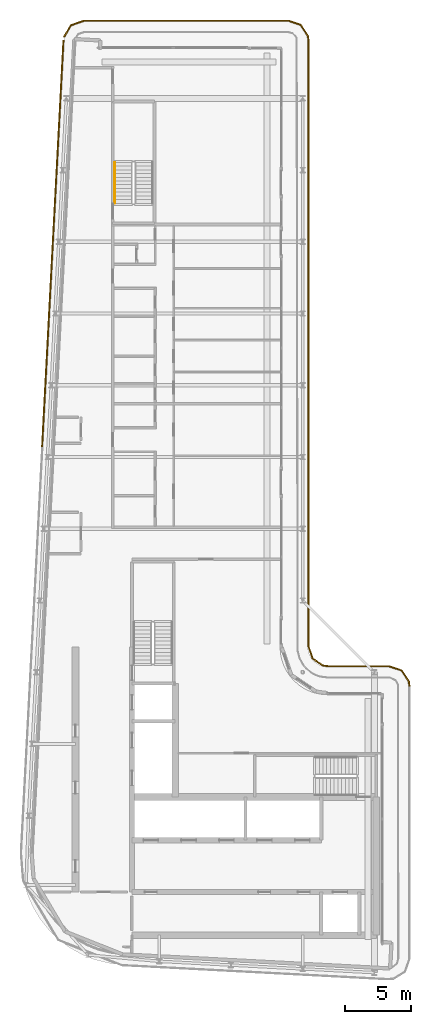
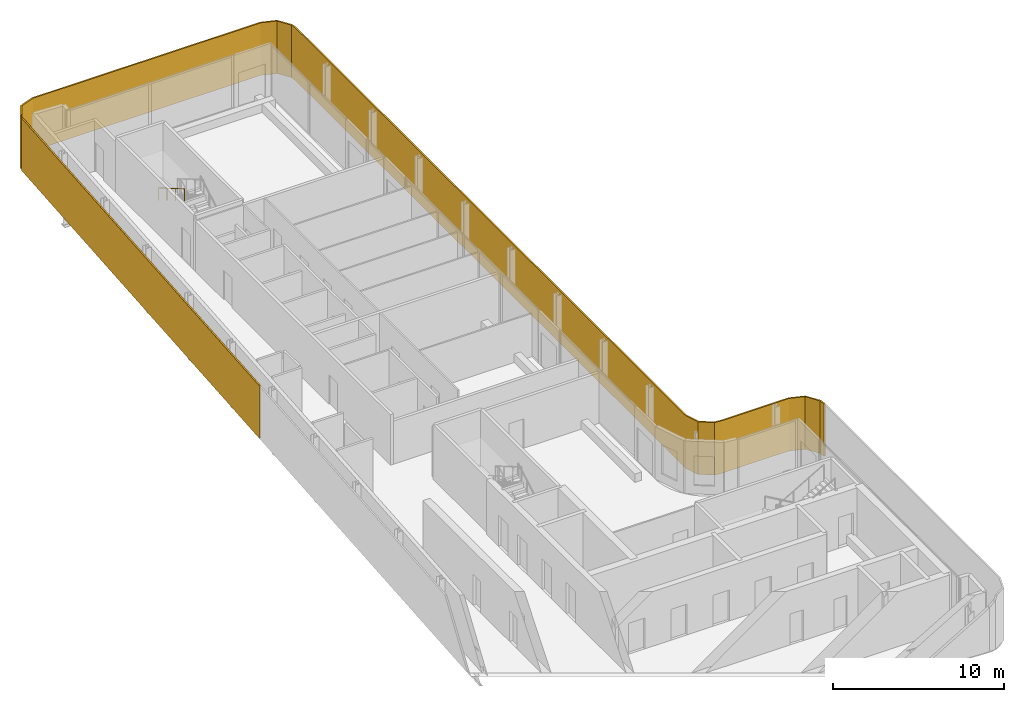
# One storey, part 17 of 19: 2 shading devices, 1 railing.
"""IFC4 building model written with IfcOpenShell, lengths in metres."""

from ifc_helpers import new_model, si_unit, direction, frame, origin, origin_2d, place, context, subcontext, project, spatial, polyline, rectangle, circle, outline, extrude, material, layer, layer_set, type_object, element, save


model = new_model("IFC4")

# Units and contexts
model_context = context("Model", 3, precision=1e-05, world=origin(), true_north=direction((0.0, 1.0)))
body_context = subcontext(model_context, "Body", "Model", "MODEL_VIEW")
ifc_project = project(units=[si_unit("LENGTHUNIT", "METRE"), si_unit("AREAUNIT", "SQUARE_METRE"), si_unit("VOLUMEUNIT", "CUBIC_METRE"), si_unit("PLANEANGLEUNIT", "RADIAN"), si_unit("MASSUNIT", "GRAM", prefix="KILO")], contexts=[model_context])

# Site, building, storey
site_placement = place(None, origin())
site = spatial("IfcSite", under=ifc_project, at=site_placement, CompositionType="ELEMENT")
building_placement = place(site_placement, origin())
building = spatial("IfcBuilding", under=site, at=building_placement, Name="Kheshtan School and Residences Tower", CompositionType="ELEMENT")
storey_placement = place(building_placement, frame((0.0, 0.0, 353.89990234375)))
storey = spatial("IfcBuildingStorey", under=building, at=storey_placement, Name="L83", CompositionType="ELEMENT", Elevation=353.89990234375)

# Shading devices
ifc_material_1 = material(Name="Terracotta baguette, extruded ceramic", Category="masonry")
ifc_layer_1 = layer(ifc_material_1, 0.10009765625)
ifc_layer_set_1 = layer_set([ifc_layer_1], Name="Ledge screen, terracotta baguettes")
shading_device_type_1 = type_object("IfcShadingDeviceType", Name="Ledge screen, terracotta baguettes", PredefinedType="USERDEFINED", material=ifc_layer_set_1)
shading_device_1_placement = place(storey_placement, frame((28.785888671875, 77.884033203125, 0.0), z_axis=(0.0, 0.0, 1.0), x_axis=(0.052562536748, 0.998617634398, 0.0)))
element("IfcShadingDevice", 1, at=shading_device_1_placement, inside=storey, type_object=shading_device_type_1, Name="Screen L83 5", ObjectType="BAGUETTE", PredefinedType="USERDEFINED", context=body_context, shape_type="SweptSolid", body=[
    extrude(rectangle(XDim=30.636962890625, YDim=0.10009765625, at=origin_2d()), origin(), (0.0, 0.0, 1.0), 3.75),
])
ifc_material_2 = material(Name="Terracotta lattice, extruded ceramic", Category="masonry")
ifc_layer_2 = layer(ifc_material_2, 0.10009765625)
ifc_layer_set_2 = layer_set([ifc_layer_2], Name="Loggia screen, terracotta lattice")
shading_device_type_2 = type_object("IfcShadingDeviceType", Name="Loggia screen, terracotta lattice", PredefinedType="USERDEFINED", material=ifc_layer_set_2)
shading_device_2_placement = place(storey_placement, origin())
element("IfcShadingDevice", 2, at=shading_device_2_placement, inside=storey, type_object=shading_device_type_2, Name="Screen L83 1", ObjectType="SCREEN", PredefinedType="USERDEFINED", context=body_context, shape_type="SweptSolid", body=[
    extrude(outline(polyline([(29.666015625, 93.384033203125), (30.18408203125, 94.257080078125), (31.138916015625, 94.60009765625), (46.5, 94.60009765625), (47.4130859375, 94.2900390625), (47.948974609375, 93.488037109375), (48.0, 93.10009765625), (48.0, 47.5), (48.31005859375, 46.5869140625), (49.112060546875, 46.051025390625), (49.5, 46.0), (54.10009765625, 46.0), (55.012939453125, 45.68994140625), (55.549072265625, 44.887939453125), (55.60009765625, 44.5), (55.698974609375, 44.512939453125), (55.64501953125, 44.924072265625), (55.076904296875, 45.77392578125), (54.116943359375, 46.10009765625), (49.507080078125, 46.10009765625), (49.14794921875, 46.14697265625), (48.39404296875, 46.65087890625), (48.10009765625, 47.51708984375), (48.10009765625, 93.10693359375), (48.044921875, 93.52392578125), (47.47705078125, 94.3740234375), (46.51708984375, 94.699951171875), (31.1220703125, 94.699951171875), (30.115966796875, 94.339111328125), (29.580078125, 93.43505859375), (29.666015625, 93.384033203125)])), origin(), (0.0, 0.0, 1.0), 3.75),
])

# Railing
ifc_material_3 = material(Name="Stainless steel handrail", Category="steel")
railing_type = type_object("IfcRailingType", Name="Stair handrail 900", PredefinedType="HANDRAIL", material=ifc_material_3)
railing_placement = place(storey_placement, frame((33.449951171875, 83.97998046875, 2.112548828125)))
element("IfcRailing", 3, at=railing_placement, inside=storey, type_object=railing_type, Name="L83 ST3 stair handrail 2", PredefinedType="HANDRAIL", context=body_context, shape_type="SweptSolid", body=[
    extrude(circle(Radius=0.02392578125, at=origin_2d()), frame((0.0, 0.0, 0.8759765625), z_axis=(0.0, -0.864890721111, 0.501960198159), x_axis=(1.0, 0.0, 0.0)), (0.0, 0.0, 1.0), 3.561279296875),
    extrude(circle(Radius=0.02099609375, at=origin_2d()), origin(), (0.0, 0.0, 1.0), 0.851806640625),
    extrude(circle(Radius=0.02099609375, at=origin_2d()), frame((0.0, -1.026611328125, 0.595947265625)), (0.0, 0.0, 1.0), 0.851806640625),
    extrude(circle(Radius=0.02099609375, at=origin_2d()), frame((0.0, -2.053466796875, 1.191650390625)), (0.0, 0.0, 1.0), 0.851806640625),
    extrude(circle(Radius=0.02099609375, at=origin_2d()), frame((0.0, -3.080078125, 1.78759765625)), (0.0, 0.0, 1.0), 0.851806640625),
])

save(model, "model.ifc")
